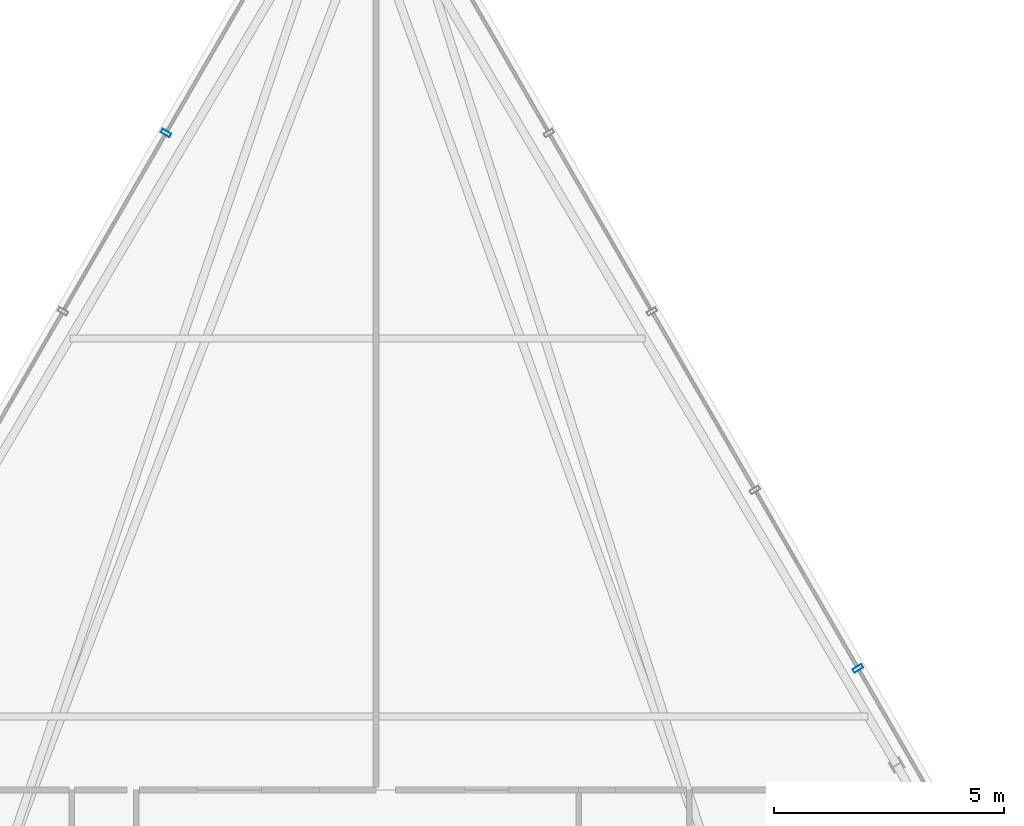
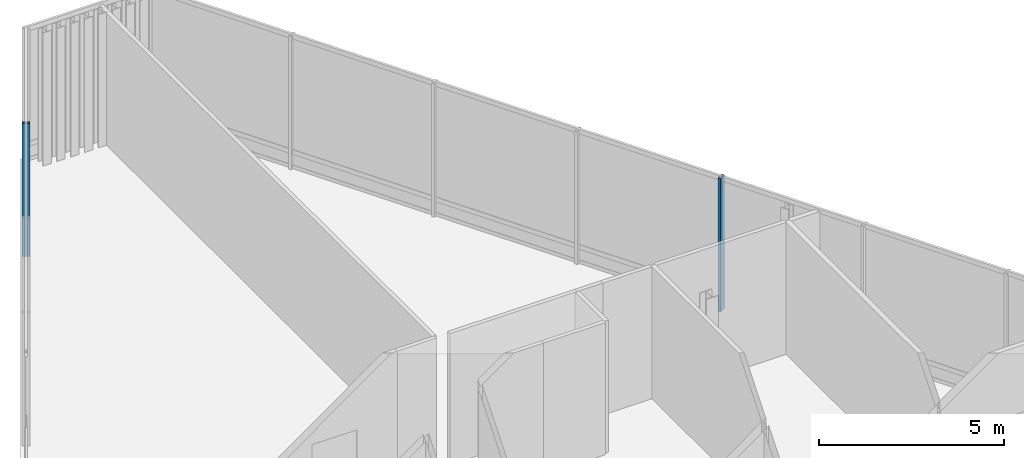
# One storey, part 17 of 25: 2 members, 2 elements without a shape of their own.
"""IFC4 building model written with IfcOpenShell, lengths in metres."""

from ifc_helpers import new_model, si_unit, direction, frame, origin, origin_2d, place, context, subcontext, project, spatial, hollow_rectangle, extrude, material, layer, layer_set, material_profile, profile_set, type_object, element, aggregate, save


model = new_model("IFC4")

# Units and contexts
model_context = context("Model", 3, precision=1e-05, world=origin(), true_north=direction((0.0, 1.0)))
body_context = subcontext(model_context, "Body", "Model", "MODEL_VIEW")
ifc_project = project(units=[si_unit("LENGTHUNIT", "METRE"), si_unit("AREAUNIT", "SQUARE_METRE"), si_unit("VOLUMEUNIT", "CUBIC_METRE"), si_unit("PLANEANGLEUNIT", "RADIAN"), si_unit("MASSUNIT", "GRAM", prefix="KILO")], contexts=[model_context])

# Site, building, storey
site_placement = place(None, origin())
site = spatial("IfcSite", under=ifc_project, at=site_placement, CompositionType="ELEMENT")
building_placement = place(site_placement, origin())
building = spatial("IfcBuilding", under=site, at=building_placement, Name="Ndaravel Arena Tower", CompositionType="ELEMENT")
storey_placement = place(building_placement, frame((0.0, 0.0, 303.300048828125)))
storey = spatial("IfcBuildingStorey", under=building, at=storey_placement, Name="L74", CompositionType="ELEMENT", Elevation=303.300048828125)

# Curtain wall, member
ifc_material_1 = material(Name="Aluminium", Category="aluminium")
ifc_layer = layer(ifc_material_1, 0.179931640625)
ifc_layer_set = layer_set([ifc_layer], Name="Aluminium")
curtain_wall_type = type_object("IfcCurtainWallType", Name="CW-SYS-04", PredefinedType="NOTDEFINED", material=ifc_layer_set)
curtain_wall_1_placement = place(storey_placement, origin())
curtain_wall_1 = element("IfcCurtainWall", 1, at=curtain_wall_1_placement, inside=storey, type_object=curtain_wall_type, Name="L74 Faceted Crystal Curtain Wall CW-L74-E03", PredefinedType="NOTDEFINED")
ifc_material_2 = material(Name="Aluminium", Category="aluminium")
ifc_material_profile = material_profile(ifc_material_2, hollow_rectangle(XDim=0.090087890625, YDim=0.219970703125, WallThickness=0.0048828125, at=origin_2d()), Name="CW MULLION 90x220x5")
ifc_profile_set = profile_set([ifc_material_profile], Name="Aluminium")
member_type = type_object("IfcMemberType", Name="MEM-CW-MUL220", PredefinedType="MULLION", material=ifc_profile_set)
member_1_placement = place(storey_placement, frame((52.85986328125, 27.8408203125, 0.0), z_axis=(0.0, 0.0, 1.0), x_axis=(-0.5, 0.866025403784, 0.0)))
member_1 = element("IfcMember", 2, at=member_1_placement, type_object=member_type, Name="CW-L74-E03 Mullion 05", PredefinedType="MULLION", context=body_context, shape_type="SweptSolid", body=[
    extrude(hollow_rectangle(XDim=0.090087890625, YDim=0.219970703125, WallThickness=0.0048828125, at=origin_2d()), origin(), (0.0, 0.0, 1.0), 4.39990234375),
])
aggregate(curtain_wall_1, [member_1])

curtain_wall_2_placement = place(storey_placement, origin())
curtain_wall_2 = element("IfcCurtainWall", 3, at=curtain_wall_2_placement, inside=storey, type_object=curtain_wall_type, Name="L74 Faceted Crystal Curtain Wall CW-L74-E05", PredefinedType="NOTDEFINED")
member_2_placement = place(storey_placement, frame((37.84521484375, 39.454345703125, 0.0), z_axis=(0.0, 0.0, 1.0), x_axis=(-0.5, -0.866025403784, 0.0)))
member_2 = element("IfcMember", 4, at=member_2_placement, type_object=member_type, Name="CW-L74-E05 Mullion 01", PredefinedType="MULLION", context=body_context, shape_type="SweptSolid", body=[
    extrude(hollow_rectangle(XDim=0.090087890625, YDim=0.219970703125, WallThickness=0.0048828125, at=origin_2d()), origin(), (0.0, 0.0, 1.0), 4.39990234375),
])
aggregate(curtain_wall_2, [member_2])

save(model, "model.ifc")
